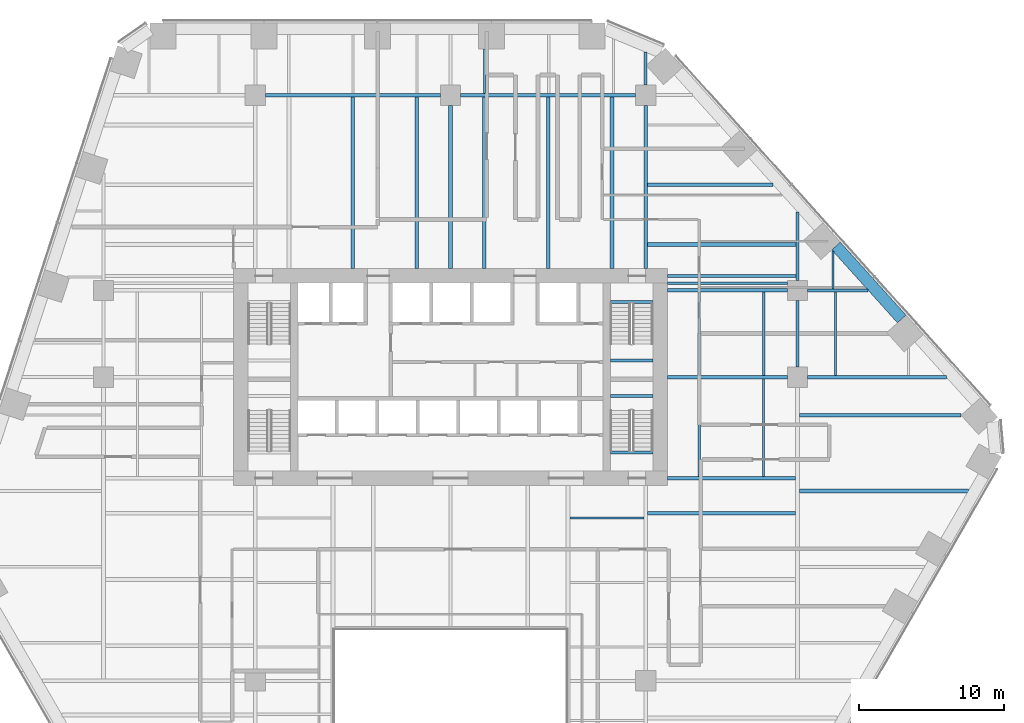
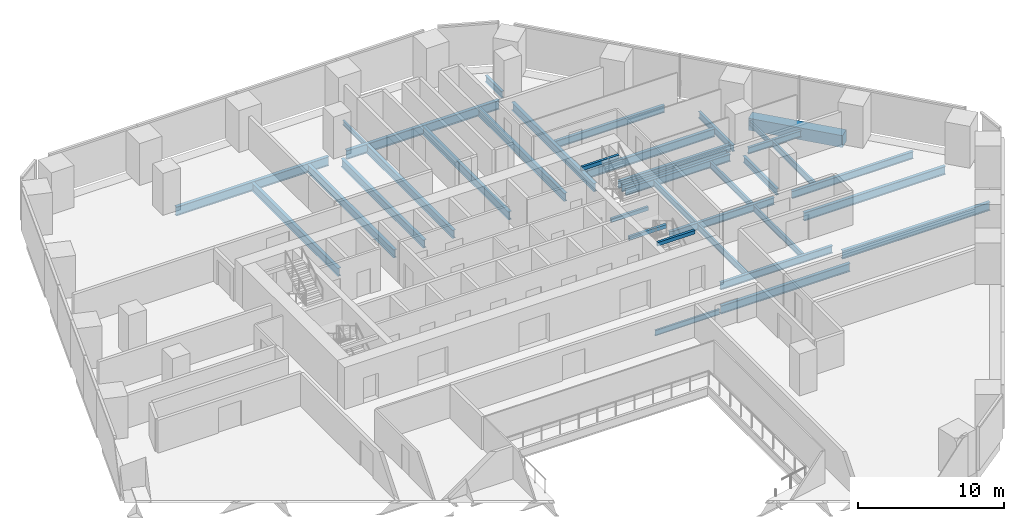
# One storey, part 9 of 21: 37 beams.
"""IFC4 building model written with IfcOpenShell, lengths in metres."""

import ifcopenshell
import ifcopenshell.guid

model = None  # the IFC model being written
_history = None  # IfcOwnerHistory: only IFC2X3 demands one
_inside = {}  # id of a spatial element -> (the spatial element, [elements in it])
_under = {}  # id of a project, library or spatial element -> (it, [spatial elements below it])
_declared = {}  # id of a project -> (the project, [libraries it declares])
_typed = {}  # id of a type object -> (the type object, [elements of that type])
_made_of = {}  # id of a material, layer set ... -> (it, [elements and type objects made of it])


def new_model(schema):
    """Start an empty IFC model of exactly this schema.

    Asked for "IFC4X3", IfcOpenShell would pick the latest addendum, in which some entities
    have other attributes; the version numbers below select the first issue.
    IFC2X3 requires an IfcOwnerHistory on every rooted entity: one is made here for all.
    """
    global model, _history
    if schema == "IFC4X3":
        model = ifcopenshell.file(schema_version=(4, 3, 0, 0))
    else:
        model = ifcopenshell.file(schema=schema)
    _inside.clear()
    _under.clear()
    _declared.clear()
    _typed.clear()
    _made_of.clear()
    _history = None
    if model.schema == "IFC2X3":
        org = make("IfcOrganization", Name="unknown")
        user = make(
            "IfcPersonAndOrganization",
            ThePerson=make("IfcPerson", FamilyName="unknown"),
            TheOrganization=org,
        )
        app = make(
            "IfcApplication",
            ApplicationDeveloper=org,
            Version="unknown",
            ApplicationFullName="unknown",
            ApplicationIdentifier="unknown",
        )
        _history = make(
            "IfcOwnerHistory",
            OwningUser=user,
            OwningApplication=app,
            ChangeAction="ADDED",
            CreationDate=0,
        )
    return model


def make(cls, **values):
    """One entity of the class cls with the attributes given. An attribute that is None is left unset."""
    return model.create_entity(
        cls, **{name: value for name, value in values.items() if value is not None}
    )


def rooted(cls, **values):
    """An entity with a GlobalId (a new one), such as an element, a storey or a relation."""
    return make(cls, GlobalId=ifcopenshell.guid.new(), OwnerHistory=_history, **values)


def si_unit(unit_type, name, prefix=None):
    """IfcSIUnit, for example si_unit("LENGTHUNIT", "METRE", prefix="MILLI")."""
    return make("IfcSIUnit", UnitType=unit_type, Prefix=prefix, Name=name)


def assignment(units):
    """IfcUnitAssignment: the units of a project."""
    return None if units is None else make("IfcUnitAssignment", Units=units)


def point(xyz):
    """IfcCartesianPoint."""
    return None if xyz is None else make("IfcCartesianPoint", Coordinates=xyz)


def direction(xyz):
    """IfcDirection."""
    return None if xyz is None else make("IfcDirection", DirectionRatios=xyz)


def frame(location, z_axis=None, x_axis=None):
    """IfcAxis2Placement3D, a coordinate frame: its origin and axes. An axis left out is left unset."""
    return make(
        "IfcAxis2Placement3D",
        Location=point(location),
        Axis=direction(z_axis),
        RefDirection=direction(x_axis),
    )


def frame_2d(location, x_axis=None):
    """IfcAxis2Placement2D, a coordinate frame in the plane: its origin and x axis."""
    return make(
        "IfcAxis2Placement2D", Location=point(location), RefDirection=direction(x_axis)
    )


def origin():
    """The frame at (0, 0, 0) with its axes left unset."""
    return frame((0.0, 0.0, 0.0))


def origin_2d():
    """The frame at (0, 0) in the plane with its x axis left unset."""
    return frame_2d((0.0, 0.0))


def place(relative_to, where):
    """IfcLocalPlacement: puts the frame where relative to a parent placement (None: the world)."""
    return make(
        "IfcLocalPlacement", PlacementRelTo=relative_to, RelativePlacement=where
    )


def context(
    kind, dimensions, precision=None, world=None, true_north=None, identifier=None
):
    """IfcGeometricRepresentationContext, for example the 3D "Model" context."""
    return make(
        "IfcGeometricRepresentationContext",
        ContextIdentifier=identifier,
        ContextType=kind,
        CoordinateSpaceDimension=dimensions,
        Precision=precision,
        WorldCoordinateSystem=world,
        TrueNorth=true_north,
    )


def subcontext(parent, identifier, kind, view, scale=None):
    """IfcGeometricRepresentationSubContext, for example "Body" below "Model"."""
    return make(
        "IfcGeometricRepresentationSubContext",
        ContextIdentifier=identifier,
        ContextType=kind,
        ParentContext=parent,
        TargetScale=scale,
        TargetView=view,
    )


def project(units=None, contexts=None):
    """IfcProject with its units and contexts."""
    return rooted(
        "IfcProject",
        Name="project",
        RepresentationContexts=contexts,
        UnitsInContext=assignment(units),
    )


def spatial(cls, under=None, at=None, **own):
    """A site, building, storey or space (cls), placed at a placement, below another one or the project."""
    s = rooted(cls, ObjectPlacement=at, **own)
    if under is not None:
        _under.setdefault(under.id(), (under, []))[1].append(s)
    return s


def profile(cls, at=None, kind="AREA", **sizes):
    """A parametric profile (cls). Its sizes go by their IFC names, for example OverallWidth=200.0."""
    return make(cls, ProfileType=kind, Position=at, **sizes)


def rectangle(**sizes):
    """IfcRectangleProfileDef."""
    return profile("IfcRectangleProfileDef", **sizes)


def i_section(**sizes):
    """IfcIShapeProfileDef."""
    return profile("IfcIShapeProfileDef", **sizes)


def extrude(swept, where, along, depth):
    """IfcExtrudedAreaSolid: the profile swept, set in the frame where, extruded along a direction by depth."""
    return make(
        "IfcExtrudedAreaSolid",
        SweptArea=swept,
        Position=where,
        ExtrudedDirection=direction(along),
        Depth=depth,
    )


def shape(context_of_items, identifier, shape_type, items):
    """IfcShapeRepresentation: the items that make up one representation, for example the "Body"."""
    return make(
        "IfcShapeRepresentation",
        ContextOfItems=context_of_items,
        RepresentationIdentifier=identifier,
        RepresentationType=shape_type,
        Items=items,
    )


def material(Name=None, Category=None):
    """IfcMaterial."""
    return make("IfcMaterial", Name=Name, Category=Category)


def material_profile(
    of_material, cross_section, Name=None, Category=None, Priority=None
):
    """IfcMaterialProfile: a cross section and its material."""
    return make(
        "IfcMaterialProfile",
        Name=Name,
        Material=of_material,
        Profile=cross_section,
        Priority=Priority,
        Category=Category,
    )


def profile_set(profiles, Name=None, composite=None):
    """IfcMaterialProfileSet."""
    return make(
        "IfcMaterialProfileSet",
        Name=Name,
        MaterialProfiles=profiles,
        CompositeProfile=composite,
    )


def made_of(thing, what):
    """Note that an element or type object is made of a material, layer set ...; save() writes the relation."""
    if what is not None:
        _made_of.setdefault(what.id(), (what, []))[1].append(thing)
    return thing


def type_object(cls, material=None, **own):
    """A type object (cls), such as IfcWallType, which elements share."""
    return made_of(rooted(cls, **own), material)


def element(
    cls,
    number,
    at=None,
    inside=None,
    cuts=None,
    type_object=None,
    material=None,
    context=None,
    identifier="Body",
    shape_type=None,
    held_by="IfcProductDefinitionShape",
    body=None,
    shapes=None,
    **own,
):
    """One element of the class cls, such as IfcWall. Its Tag is "e" and its number.

    at: its placement. inside: the storey or other place that contains it. cuts: it is an
    opening in that element (IfcRelVoidsElement). A single representation is given by context,
    identifier, shape_type and body (its items); several are given by shapes. held_by: the class
    of the entity that holds the representations. save() writes the other relations.
    """
    e = rooted(cls, Tag="e%d" % number, ObjectPlacement=at, **own)
    if body is not None:
        shapes = [shape(context, identifier, shape_type, body)]
    if shapes is not None:
        e.Representation = make(held_by, Representations=shapes)
    if inside is not None:
        _inside.setdefault(inside.id(), (inside, []))[1].append(e)
    if cuts is not None:
        rooted(
            "IfcRelVoidsElement", RelatingBuildingElement=cuts, RelatedOpeningElement=e
        )
    if type_object is not None:
        _typed.setdefault(type_object.id(), (type_object, []))[1].append(e)
    return made_of(e, material)


def aggregate(whole, parts):
    """IfcRelAggregates: a whole, such as a stair, and the parts it consists of."""
    return rooted("IfcRelAggregates", RelatingObject=whole, RelatedObjects=parts)


def save(model, path):
    """Write the relations noted so far, then the file.

    IfcRelAggregates (storeys below a building ...), IfcRelContainedInSpatialStructure (elements
    in a storey), IfcRelDefinesByType, IfcRelAssociatesMaterial and IfcRelDeclares: one each for
    every whole, place, type object, material and project.
    """
    for whole, parts in _under.values():
        aggregate(whole, parts)
    for where, things in _inside.values():
        rooted(
            "IfcRelContainedInSpatialStructure",
            RelatedElements=things,
            RelatingStructure=where,
        )
    for kind, things in _typed.values():
        rooted("IfcRelDefinesByType", RelatedObjects=things, RelatingType=kind)
    for what, things in _made_of.values():
        rooted("IfcRelAssociatesMaterial", RelatedObjects=things, RelatingMaterial=what)
    for by, libraries in _declared.values():
        rooted("IfcRelDeclares", RelatingContext=by, RelatedDefinitions=libraries)
    model.write(path)


model = new_model("IFC4")

# Units and contexts
model_context = context("Model", 3, precision=1e-05, world=origin(), true_north=direction((0.0, 1.0)))
body_context = subcontext(model_context, "Body", "Model", "MODEL_VIEW")
ifc_project = project(units=[si_unit("LENGTHUNIT", "METRE"), si_unit("AREAUNIT", "SQUARE_METRE"), si_unit("VOLUMEUNIT", "CUBIC_METRE"), si_unit("PLANEANGLEUNIT", "RADIAN"), si_unit("MASSUNIT", "GRAM", prefix="KILO")], contexts=[model_context])

# Site, building, storey
site_placement = place(None, origin())
site = spatial("IfcSite", under=ifc_project, at=site_placement, CompositionType="ELEMENT")
building_placement = place(site_placement, origin())
building = spatial("IfcBuilding", under=site, at=building_placement, Name="Isthmus Gate Tower", CompositionType="ELEMENT")
storey_placement = place(building_placement, frame((0.0, 0.0, 46.949951171875)))
storey = spatial("IfcBuildingStorey", under=building, at=storey_placement, Name="L09", CompositionType="ELEMENT", Elevation=46.949951171875)

# Beams
ifc_material_1 = material(Name="Concrete f'c 70 MPa", Category="concrete")
ifc_material_profile_1 = material_profile(ifc_material_1, rectangle(XDim=0.800048828125, YDim=1.0, at=origin_2d()), Name="RC 800X1000")
ifc_profile_set_1 = profile_set([ifc_material_profile_1], Name="Concrete f'c 70 MPa")
beam_type_1 = type_object("IfcBeamType", Name="RC SPANDREL 800 X 1000", PredefinedType="SPANDREL", material=ifc_profile_set_1)
beam_1_placement = place(storey_placement, frame((26.664794921875, 16.566162109375, -0.5), z_axis=(0.669117690519, -0.743156454748, 0.0), x_axis=(0.743156454748, 0.669117690519, 0.0)))
element("IfcBeam", 1, at=beam_1_placement, inside=storey, type_object=beam_type_1, Name="str-spandrel-L09-03", PredefinedType="SPANDREL", context=body_context, shape_type="SweptSolid", body=[
    extrude(rectangle(XDim=0.800048828125, YDim=1.0, at=origin_2d()), origin(), (0.0, 0.0, 1.0), 6.78955078125),
])
ifc_material_2 = material(Name="Concrete f'c 40 MPa", Category="concrete")
ifc_material_profile_2 = material_profile(ifc_material_2, rectangle(XDim=0.199951171875, YDim=0.300048828125, at=origin_2d()), Name="STAIR LANDING BEAM RC 200 X 300")
ifc_profile_set_2 = profile_set([ifc_material_profile_2], Name="Concrete f'c 40 MPa")
beam_type_2 = type_object("IfcBeamType", Name="STAIR LANDING BEAM RC 200 X 300", PredefinedType="BEAM", material=ifc_profile_set_2)
for number, where, z_axis, x_axis, name in (
    (2, (11.050048828125, 8.64990234375, 1.47509765625), (1.0, 0.0, 0.0), (0.0, 1.0, 0.0), "L09 ST2 landing beam 1"),
    (3, (11.050048828125, 12.7001953125, 3.35009765625), (1.0, 0.0, 0.0), (0.0, 1.0, 0.0), "L09 ST2 floor-edge seat beam"),
    (4, (11.050048828125, 6.199951171875, 1.47509765625), (1.0, 0.0, 0.0), (0.0, 1.0, 0.0), "L09 ST8 landing beam 1"),
    (5, (11.050048828125, 2.2998046875, 3.35009765625), (1.0, 0.0, 0.0), (0.0, 1.0, 0.0), "L09 ST8 floor-edge seat beam"),
):
    element("IfcBeam", number, at=place(storey_placement, frame(where, z_axis=z_axis, x_axis=x_axis)), inside=storey, type_object=beam_type_2, Name=name, PredefinedType="BEAM", context=body_context, shape_type="SweptSolid", body=[
        extrude(rectangle(XDim=0.199951171875, YDim=0.300048828125, at=origin_2d()), origin(), (0.0, 0.0, 1.0), 2.949951171875),
    ])
ifc_material_3 = material(Name="Structural steel ASTM A992 Gr 50", Category="steel")
ifc_material_profile_3 = material_profile(ifc_material_3, i_section(OverallWidth=0.1396484375, OverallDepth=0.4033203125, WebThickness=0.00634765625, FlangeThickness=0.010986328125, at=origin_2d()), Name="W16X31")
ifc_profile_set_3 = profile_set([ifc_material_profile_3], Name="Structural steel ASTM A992 Gr 50")
beam_type_3 = type_object("IfcBeamType", Name="STEEL FLOOR BEAM W16X31", PredefinedType="JOIST", material=ifc_profile_set_3)
beam_2_placement = place(storey_placement, frame((2.33740234375, 27.1318359375, -0.3515625), z_axis=(0.0, 1.0, 0.0), x_axis=(-1.0, 0.0, 0.0)))
element("IfcBeam", 6, at=beam_2_placement, inside=storey, type_object=beam_type_3, Name="str-beam-L09-19-00", PredefinedType="JOIST", context=body_context, shape_type="SweptSolid", body=[
    extrude(i_section(OverallWidth=0.1396484375, OverallDepth=0.4033203125, WebThickness=0.00634765625, FlangeThickness=0.010986328125, at=origin_2d()), origin(), (0.0, 0.0, 1.0), 3.068115234375),
])
beam_3_placement = place(storey_placement, frame((26.448974609375, 13.604736328125, -0.3515625), z_axis=(0.0, 1.0, 0.0), x_axis=(-1.0, 0.0, 0.0)))
element("IfcBeam", 7, at=beam_3_placement, inside=storey, type_object=beam_type_3, Name="str-beam-L09-32-00", PredefinedType="JOIST", context=body_context, shape_type="SweptSolid", body=[
    extrude(i_section(OverallWidth=0.1396484375, OverallDepth=0.4033203125, WebThickness=0.00634765625, FlangeThickness=0.010986328125, at=origin_2d()), origin(), (0.0, 0.0, 1.0), 2.603515625),
])
ifc_material_4 = material(Name="Structural steel ASTM A992 Gr 50", Category="steel")
ifc_material_profile_4 = material_profile(ifc_material_4, i_section(OverallWidth=0.15234375, OverallDepth=0.45068359375, WebThickness=0.0078125, FlangeThickness=0.010986328125, at=origin_2d()), Name="W18X35")
ifc_profile_set_4 = profile_set([ifc_material_profile_4], Name="Structural steel ASTM A992 Gr 50")
beam_type_4 = type_object("IfcBeamType", Name="STEEL FLOOR BEAM W18X35", PredefinedType="JOIST", material=ifc_profile_set_4)
beam_4_placement = place(storey_placement, frame((8.263427734375, -2.232421875, -0.375244140625), z_axis=(1.0, 0.0, 0.0), x_axis=(0.0, 1.0, 0.0)))
element("IfcBeam", 8, at=beam_4_placement, inside=storey, type_object=beam_type_4, Name="str-beam-L09-23-02", PredefinedType="JOIST", context=body_context, shape_type="SweptSolid", body=[
    extrude(i_section(OverallWidth=0.15234375, OverallDepth=0.45068359375, WebThickness=0.0078125, FlangeThickness=0.010986328125, at=origin_2d()), origin(), (0.0, 0.0, 1.0), 5.104736328125),
])
ifc_material_5 = material(Name="Structural steel ASTM A992 Gr 50", Category="steel")
ifc_material_profile_5 = material_profile(ifc_material_5, i_section(OverallWidth=0.1650390625, OverallDepth=0.52392578125, WebThickness=0.009521484375, FlangeThickness=0.010986328125, at=origin_2d()), Name="W21X44")
ifc_profile_set_5 = profile_set([ifc_material_profile_5], Name="Structural steel ASTM A992 Gr 50")
beam_type_5 = type_object("IfcBeamType", Name="STEEL FLOOR BEAM W21X44", PredefinedType="JOIST", material=ifc_profile_set_5)
for number, where, z_axis, x_axis, name in (
    (9, (17.223876953125, 7.6142578125, -0.411865234375), (0.0, 1.0, 0.0), (-1.0, 0.0, 0.0), "str-beam-L09-30-00"),
    (10, (21.67138671875, 7.6142578125, -0.411865234375), (0.0, 1.0, 0.0), (-1.0, 0.0, 0.0), "str-beam-L09-30-01"),
):
    element("IfcBeam", number, at=place(storey_placement, frame(where, z_axis=z_axis, x_axis=x_axis)), inside=storey, type_object=beam_type_5, Name=name, PredefinedType="JOIST", context=body_context, shape_type="SweptSolid", body=[
        extrude(i_section(OverallWidth=0.1650390625, OverallDepth=0.52392578125, WebThickness=0.009521484375, FlangeThickness=0.010986328125, at=origin_2d()), origin(), (0.0, 0.0, 1.0), 5.771484375),
    ])
for number, where, z_axis, x_axis, name in (
    (11, (17.216552734375, 0.6142578125, -0.411865234375), (0.0, 1.0, 0.0), (-1.0, 0.0, 0.0), "str-beam-L09-31-00"),
    (12, (21.64990234375, 0.6142578125, -0.411865234375), (0.0, 1.0, 0.0), (-1.0, 0.0, 0.0), "str-beam-L09-31-01"),
):
    element("IfcBeam", number, at=place(storey_placement, frame(where, z_axis=z_axis, x_axis=x_axis)), inside=storey, type_object=beam_type_5, Name=name, PredefinedType="JOIST", context=body_context, shape_type="SweptSolid", body=[
        extrude(i_section(OverallWidth=0.1650390625, OverallDepth=0.52392578125, WebThickness=0.009521484375, FlangeThickness=0.010986328125, at=origin_2d()), origin(), (0.0, 0.0, 1.0), 6.771484375),
    ])
beam_5_placement = place(storey_placement, frame((26.625244140625, 7.6142578125, -0.411865234375), z_axis=(0.0, 1.0, 0.0), x_axis=(-1.0, 0.0, 0.0)))
element("IfcBeam", 13, at=beam_5_placement, inside=storey, type_object=beam_type_5, Name="str-beam-L09-33-00", PredefinedType="JOIST", context=body_context, shape_type="SweptSolid", body=[
    extrude(i_section(OverallWidth=0.1650390625, OverallDepth=0.52392578125, WebThickness=0.009521484375, FlangeThickness=0.010986328125, at=origin_2d()), origin(), (0.0, 0.0, 1.0), 5.781005859375),
])
ifc_material_6 = material(Name="Structural steel ASTM A992 Gr 50", Category="steel")
ifc_material_profile_6 = material_profile(ifc_material_6, i_section(OverallWidth=0.177734375, OverallDepth=0.60009765625, WebThickness=0.009521484375, FlangeThickness=0.0126953125, at=origin_2d()), Name="W24X55")
ifc_profile_set_6 = profile_set([ifc_material_profile_6], Name="Structural steel ASTM A992 Gr 50")
beam_type_6 = type_object("IfcBeamType", Name="STEEL FLOOR BEAM W24X55", PredefinedType="JOIST", material=ifc_profile_set_6)
beam_6_placement = place(storey_placement, frame((15.0, 14.0, -0.449951171875), z_axis=(1.0, 0.0, 0.0), x_axis=(0.0, 1.0, 0.0)))
element("IfcBeam", 14, at=beam_6_placement, inside=storey, type_object=beam_type_6, Name="str-beam-L09-29-00", PredefinedType="JOIST", context=body_context, shape_type="SweptSolid", body=[
    extrude(i_section(OverallWidth=0.177734375, OverallDepth=0.60009765625, WebThickness=0.009521484375, FlangeThickness=0.0126953125, at=origin_2d()), origin(), (0.0, 0.0, 1.0), 8.300048828125),
])
ifc_material_7 = material(Name="Structural steel ASTM A992 Gr 50", Category="steel")
ifc_material_profile_7 = material_profile(ifc_material_7, i_section(OverallWidth=0.228515625, OverallDepth=0.603271484375, WebThickness=0.010986328125, FlangeThickness=0.014404296875, at=origin_2d()), Name="W24X68")
ifc_profile_set_7 = profile_set([ifc_material_profile_7], Name="Structural steel ASTM A992 Gr 50")
beam_type_7 = type_object("IfcBeamType", Name="STEEL FLOOR BEAM W24X68", PredefinedType="JOIST", material=ifc_profile_set_7)
beam_7_placement = place(storey_placement, frame((13.626953125, 20.80712890625, -0.45166015625), z_axis=(1.0, 0.0, 0.0), x_axis=(0.0, 1.0, 0.0)))
element("IfcBeam", 15, at=beam_7_placement, inside=storey, type_object=beam_type_7, Name="str-beam-L09-26-01", PredefinedType="JOIST", context=body_context, shape_type="SweptSolid", body=[
    extrude(i_section(OverallWidth=0.228515625, OverallDepth=0.603271484375, WebThickness=0.010986328125, FlangeThickness=0.014404296875, at=origin_2d()), origin(), (0.0, 0.0, 1.0), 8.680908203125),
])
ifc_material_8 = material(Name="Structural steel ASTM A992 Gr 50", Category="steel")
ifc_material_profile_8 = material_profile(ifc_material_8, i_section(OverallWidth=0.25390625, OverallDepth=0.679443359375, WebThickness=0.010986328125, FlangeThickness=0.015869140625, at=origin_2d()), Name="W27X84")
ifc_profile_set_8 = profile_set([ifc_material_profile_8], Name="Structural steel ASTM A992 Gr 50")
beam_type_8 = type_object("IfcBeamType", Name="STEEL FLOOR BEAM W27X84", PredefinedType="JOIST", material=ifc_profile_set_8)
for number, where, z_axis, x_axis, name in (
    (16, (-6.75, 15.0, -0.48974609375), (0.0, 1.0, 0.0), (-1.0, 0.0, 0.0), "str-beam-L09-13-01"),
    (17, (-2.334716796875, 15.0, -0.48974609375), (0.0, 1.0, 0.0), (-1.0, 0.0, 0.0), "str-beam-L09-13-02"),
    (18, (2.334716796875, 15.0, -0.48974609375), (0.0, 1.0, 0.0), (-1.0, 0.0, 0.0), "str-beam-L09-20-00"),
    (19, (6.75, 15.0, -0.48974609375), (0.0, 1.0, 0.0), (-1.0, 0.0, 0.0), "str-beam-L09-20-01"),
    (20, (11.165283203125, 15.0, -0.48974609375), (0.0, 1.0, 0.0), (-1.0, 0.0, 0.0), "str-beam-L09-20-02"),
):
    element("IfcBeam", number, at=place(storey_placement, frame(where, z_axis=z_axis, x_axis=x_axis)), inside=storey, type_object=beam_type_8, Name=name, PredefinedType="JOIST", context=body_context, shape_type="SweptSolid", body=[
        extrude(i_section(OverallWidth=0.25390625, OverallDepth=0.679443359375, WebThickness=0.010986328125, FlangeThickness=0.015869140625, at=origin_2d()), origin(), (0.0, 0.0, 1.0), 11.8681640625),
    ])
beam_8_placement = place(storey_placement, frame((13.626953125, 16.678466796875, -0.48974609375), z_axis=(1.0, 0.0, 0.0), x_axis=(0.0, 1.0, 0.0)))
element("IfcBeam", 21, at=beam_8_placement, inside=storey, type_object=beam_type_8, Name="str-beam-L09-26-00", PredefinedType="JOIST", context=body_context, shape_type="SweptSolid", body=[
    extrude(i_section(OverallWidth=0.25390625, OverallDepth=0.679443359375, WebThickness=0.010986328125, FlangeThickness=0.015869140625, at=origin_2d()), origin(), (0.0, 0.0, 1.0), 10.268310546875),
])
beam_9_placement = place(storey_placement, frame((13.6318359375, -1.90625, -0.48974609375), z_axis=(1.0, 0.0, 0.0), x_axis=(0.0, 1.0, 0.0)))
element("IfcBeam", 22, at=beam_9_placement, inside=storey, type_object=beam_type_8, Name="str-beam-L09-27-02", PredefinedType="JOIST", context=body_context, shape_type="SweptSolid", body=[
    extrude(i_section(OverallWidth=0.25390625, OverallDepth=0.679443359375, WebThickness=0.010986328125, FlangeThickness=0.015869140625, at=origin_2d()), origin(), (0.0, 0.0, 1.0), 10.23486328125),
])
beam_10_placement = place(storey_placement, frame((24.13330078125, -0.375, -0.48974609375), z_axis=(1.0, 0.0, 0.0), x_axis=(0.0, 1.0, 0.0)))
element("IfcBeam", 23, at=beam_10_placement, inside=storey, type_object=beam_type_8, Name="str-beam-L09-34-02", PredefinedType="JOIST", context=body_context, shape_type="SweptSolid", body=[
    extrude(i_section(OverallWidth=0.25390625, OverallDepth=0.679443359375, WebThickness=0.010986328125, FlangeThickness=0.015869140625, at=origin_2d()), origin(), (0.0, 0.0, 1.0), 11.6767578125),
])
beam_11_placement = place(storey_placement, frame((24.13330078125, 4.875, -0.48974609375), z_axis=(1.0, 0.0, 0.0), x_axis=(0.0, 1.0, 0.0)))
element("IfcBeam", 24, at=beam_11_placement, inside=storey, type_object=beam_type_8, Name="str-beam-L09-34-03", PredefinedType="JOIST", context=body_context, shape_type="SweptSolid", body=[
    extrude(i_section(OverallWidth=0.25390625, OverallDepth=0.679443359375, WebThickness=0.010986328125, FlangeThickness=0.015869140625, at=origin_2d()), origin(), (0.0, 0.0, 1.0), 11.185302734375),
])
ifc_material_9 = material(Name="Structural steel ASTM A992 Gr 50", Category="steel")
ifc_material_profile_9 = material_profile(ifc_material_9, i_section(OverallWidth=0.20947265625, OverallDepth=0.533447265625, WebThickness=0.009521484375, FlangeThickness=0.015869140625, at=origin_2d()), Name="W21X62")
ifc_profile_set_9 = profile_set([ifc_material_profile_9], Name="Structural steel ASTM A992 Gr 50")
beam_type_9 = type_object("IfcBeamType", Name="STEEL GIRDER W21X62", PredefinedType="BEAM", material=ifc_profile_set_9)
beam_12_placement = place(storey_placement, frame((24.699951171875, 13.5, -0.416748046875), z_axis=(1.0, 0.0, 0.0), x_axis=(0.0, 1.0, 0.0)))
element("IfcBeam", 25, at=beam_12_placement, inside=storey, type_object=beam_type_9, Name="str-girder-L09-15", PredefinedType="BEAM", context=body_context, shape_type="SweptSolid", body=[
    extrude(i_section(OverallWidth=0.20947265625, OverallDepth=0.533447265625, WebThickness=0.009521484375, FlangeThickness=0.015869140625, at=origin_2d()), origin(), (0.0, 0.0, 1.0), 4.187255859375),
])
beam_13_placement = place(storey_placement, frame((13.5, 27.699951171875, -0.416748046875), z_axis=(0.0, 1.0, 0.0), x_axis=(-1.0, 0.0, 0.0)))
element("IfcBeam", 26, at=beam_13_placement, inside=storey, type_object=beam_type_9, Name="str-girder-L09-34", PredefinedType="BEAM", context=body_context, shape_type="SweptSolid", body=[
    extrude(i_section(OverallWidth=0.20947265625, OverallDepth=0.533447265625, WebThickness=0.009521484375, FlangeThickness=0.015869140625, at=origin_2d()), origin(), (0.0, 0.0, 1.0), 2.27001953125),
])
beam_14_placement = place(storey_placement, frame((24.0, 8.199951171875, -0.416748046875), z_axis=(0.0, 1.0, 0.0), x_axis=(-1.0, 0.0, 0.0)))
element("IfcBeam", 27, at=beam_14_placement, inside=storey, type_object=beam_type_9, Name="str-girder-L09-36", PredefinedType="BEAM", context=body_context, shape_type="SweptSolid", body=[
    extrude(i_section(OverallWidth=0.20947265625, OverallDepth=0.533447265625, WebThickness=0.009521484375, FlangeThickness=0.015869140625, at=origin_2d()), origin(), (0.0, 0.0, 1.0), 4.60009765625),
])
beam_15_placement = place(storey_placement, frame((24.0, 14.199951171875, -0.416748046875), z_axis=(0.0, 1.0, 0.0), x_axis=(-1.0, 0.0, 0.0)))
element("IfcBeam", 28, at=beam_15_placement, inside=storey, type_object=beam_type_9, Name="str-girder-L09-37", PredefinedType="BEAM", context=body_context, shape_type="SweptSolid", body=[
    extrude(i_section(OverallWidth=0.20947265625, OverallDepth=0.533447265625, WebThickness=0.009521484375, FlangeThickness=0.015869140625, at=origin_2d()), origin(), (0.0, 0.0, 1.0), 4.72802734375),
])
ifc_material_10 = material(Name="Structural steel ASTM A992 Gr 50", Category="steel")
ifc_material_profile_10 = material_profile(ifc_material_10, i_section(OverallWidth=0.228515625, OverallDepth=0.6064453125, WebThickness=0.010986328125, FlangeThickness=0.017578125, at=origin_2d()), Name="W24X76")
ifc_profile_set_10 = profile_set([ifc_material_profile_10], Name="Structural steel ASTM A992 Gr 50")
beam_type_10 = type_object("IfcBeamType", Name="STEEL GIRDER W24X76", PredefinedType="BEAM", material=ifc_profile_set_10)
beam_16_placement = place(storey_placement, frame((15.0, 7.5, -0.453125), z_axis=(1.0, 0.0, 0.0), x_axis=(0.0, 1.0, 0.0)))
element("IfcBeam", 29, at=beam_16_placement, inside=storey, type_object=beam_type_10, Name="str-girder-L09-11", PredefinedType="BEAM", context=body_context, shape_type="SweptSolid", body=[
    extrude(i_section(OverallWidth=0.228515625, OverallDepth=0.6064453125, WebThickness=0.010986328125, FlangeThickness=0.017578125, at=origin_2d()), origin(), (0.0, 0.0, 1.0), 8.300048828125),
])
beam_17_placement = place(storey_placement, frame((24.699951171875, 7.5, -0.453125), z_axis=(1.0, 0.0, 0.0), x_axis=(0.0, 1.0, 0.0)))
element("IfcBeam", 30, at=beam_17_placement, inside=storey, type_object=beam_type_10, Name="str-girder-L09-12", PredefinedType="BEAM", context=body_context, shape_type="SweptSolid", body=[
    extrude(i_section(OverallWidth=0.228515625, OverallDepth=0.6064453125, WebThickness=0.010986328125, FlangeThickness=0.017578125, at=origin_2d()), origin(), (0.0, 0.0, 1.0), 9.58984375),
])
beam_18_placement = place(storey_placement, frame((15.0, 13.5, -0.453125), z_axis=(1.0, 0.0, 0.0), x_axis=(0.0, 1.0, 0.0)))
element("IfcBeam", 31, at=beam_18_placement, inside=storey, type_object=beam_type_10, Name="str-girder-L09-14", PredefinedType="BEAM", context=body_context, shape_type="SweptSolid", body=[
    extrude(i_section(OverallWidth=0.228515625, OverallDepth=0.6064453125, WebThickness=0.010986328125, FlangeThickness=0.017578125, at=origin_2d()), origin(), (0.0, 0.0, 1.0), 8.300048828125),
])
beam_19_placement = place(storey_placement, frame((15.0, 0.5, -0.453125), z_axis=(1.0, 0.0, 0.0), x_axis=(0.0, 1.0, 0.0)))
element("IfcBeam", 32, at=beam_19_placement, inside=storey, type_object=beam_type_10, Name="str-girder-L09-39", PredefinedType="BEAM", context=body_context, shape_type="SweptSolid", body=[
    extrude(i_section(OverallWidth=0.228515625, OverallDepth=0.6064453125, WebThickness=0.010986328125, FlangeThickness=0.017578125, at=origin_2d()), origin(), (0.0, 0.0, 1.0), 8.86669921875),
])
beam_20_placement = place(storey_placement, frame((15.0, 14.5, -0.453125), z_axis=(1.0, 0.0, 0.0), x_axis=(0.0, 1.0, 0.0)))
element("IfcBeam", 33, at=beam_20_placement, inside=storey, type_object=beam_type_10, Name="str-girder-L09-41", PredefinedType="BEAM", context=body_context, shape_type="SweptSolid", body=[
    extrude(i_section(OverallWidth=0.228515625, OverallDepth=0.6064453125, WebThickness=0.010986328125, FlangeThickness=0.017578125, at=origin_2d()), origin(), (0.0, 0.0, 1.0), 8.895263671875),
])
ifc_material_11 = material(Name="Structural steel ASTM A992 Gr 50", Category="steel")
ifc_material_profile_11 = material_profile(ifc_material_11, i_section(OverallWidth=0.25390625, OverallDepth=0.679443359375, WebThickness=0.010986328125, FlangeThickness=0.015869140625, at=origin_2d()), Name="W27X84")
ifc_profile_set_11 = profile_set([ifc_material_profile_11], Name="Structural steel ASTM A992 Gr 50")
beam_type_11 = type_object("IfcBeamType", Name="STEEL GIRDER W27X84", PredefinedType="BEAM", material=ifc_profile_set_11)
for number, where, z_axis, x_axis, name in (
    (34, (0.0, 15.0, -0.48974609375), (0.0, 1.0, 0.0), (-1.0, 0.0, 0.0), "str-girder-L09-29"),
    (35, (13.5, 15.0, -0.48974609375), (0.0, 1.0, 0.0), (-1.0, 0.0, 0.0), "str-girder-L09-33"),
):
    element("IfcBeam", number, at=place(storey_placement, frame(where, z_axis=z_axis, x_axis=x_axis)), inside=storey, type_object=beam_type_11, Name=name, PredefinedType="BEAM", context=body_context, shape_type="SweptSolid", body=[
        extrude(i_section(OverallWidth=0.25390625, OverallDepth=0.679443359375, WebThickness=0.010986328125, FlangeThickness=0.015869140625, at=origin_2d()), origin(), (0.0, 0.0, 1.0), 11.300048828125),
    ])
ifc_material_12 = material(Name="Structural steel ASTM A992 Gr 50", Category="steel")
ifc_material_profile_12 = material_profile(ifc_material_12, i_section(OverallWidth=0.263427734375, OverallDepth=0.749267578125, WebThickness=0.0126953125, FlangeThickness=0.015869140625, at=origin_2d()), Name="W30X90")
ifc_profile_set_12 = profile_set([ifc_material_profile_12], Name="Structural steel ASTM A992 Gr 50")
beam_type_12 = type_object("IfcBeamType", Name="STEEL GIRDER W30X90", PredefinedType="BEAM", material=ifc_profile_set_12)
for number, where, z_axis, x_axis, name in (
    (36, (-12.800048828125, 27.0, -0.524658203125), (1.0, 0.0, 0.0), (0.0, 1.0, 0.0), "str-girder-L09-17"),
    (37, (0.699951171875, 27.0, -0.524658203125), (1.0, 0.0, 0.0), (0.0, 1.0, 0.0), "str-girder-L09-18"),
):
    element("IfcBeam", number, at=place(storey_placement, frame(where, z_axis=z_axis, x_axis=x_axis)), inside=storey, type_object=beam_type_12, Name=name, PredefinedType="BEAM", context=body_context, shape_type="SweptSolid", body=[
        extrude(i_section(OverallWidth=0.263427734375, OverallDepth=0.749267578125, WebThickness=0.0126953125, FlangeThickness=0.015869140625, at=origin_2d()), origin(), (0.0, 0.0, 1.0), 12.10009765625),
    ])

save(model, "model.ifc")
